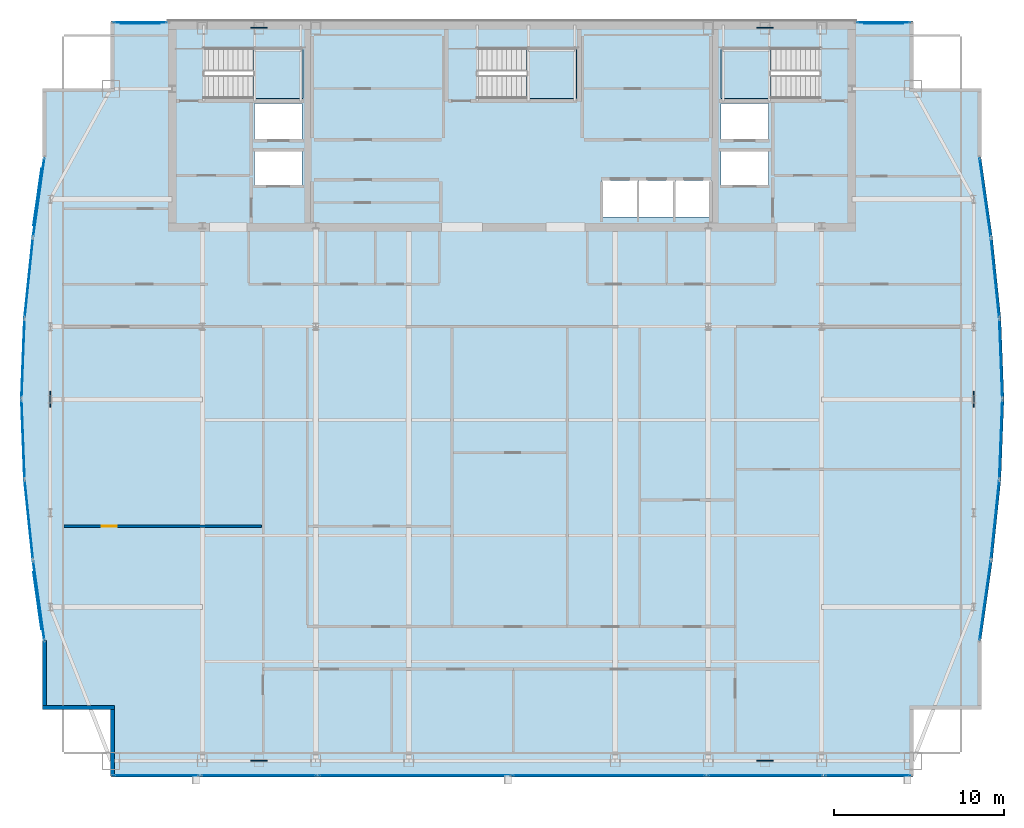
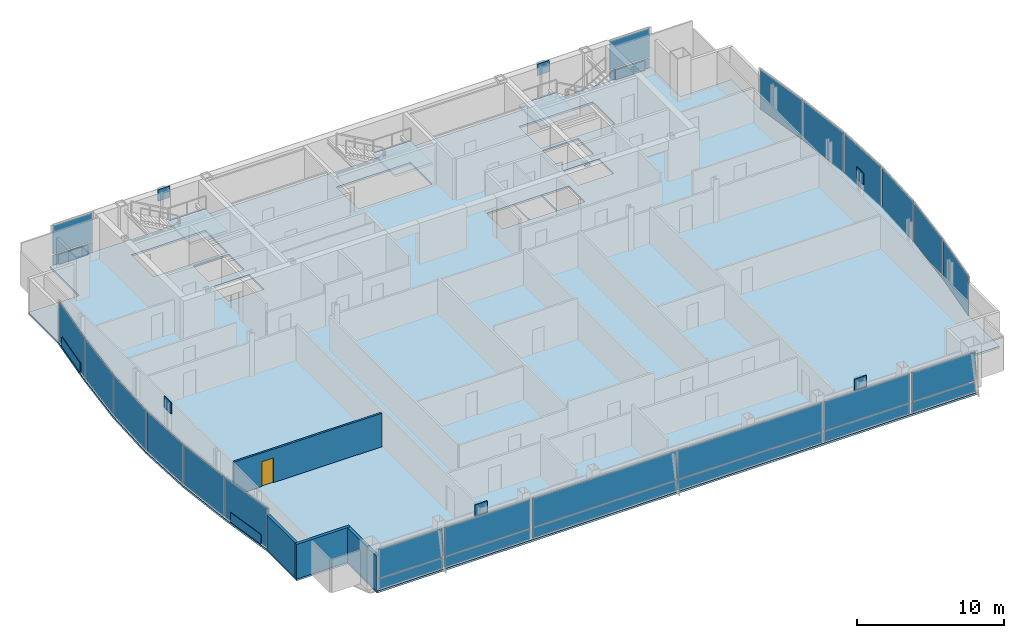
# One storey, part 24 of 30: 38 plates, 4 slabs, 4 walls, 1 door, 1 opening, 22 elements without a shape of their own.
"""IFC4 building model written with IfcOpenShell, lengths in metres."""

from ifc_helpers import new_model, si_unit, direction, frame, frame_2d, origin, origin_2d, place, context, subcontext, project, spatial, polyline, rectangle, outline, extrude, material, layer, layer_set, type_object, element, fill, aggregate, save


model = new_model("IFC4")

# Units and contexts
model_context = context("Model", 3, precision=1e-05, world=origin(), true_north=direction((0.0, 1.0)))
body_context = subcontext(model_context, "Body", "Model", "MODEL_VIEW")
ifc_project = project(units=[si_unit("LENGTHUNIT", "METRE"), si_unit("AREAUNIT", "SQUARE_METRE"), si_unit("VOLUMEUNIT", "CUBIC_METRE"), si_unit("PLANEANGLEUNIT", "RADIAN"), si_unit("MASSUNIT", "GRAM", prefix="KILO")], contexts=[model_context])

# Site, building, storey
site_placement = place(None, origin())
site = spatial("IfcSite", under=ifc_project, at=site_placement, CompositionType="ELEMENT")
building_placement = place(site_placement, origin())
building = spatial("IfcBuilding", under=site, at=building_placement, Name="Khoronbel Lancet Exchange", CompositionType="ELEMENT")
storey_placement = place(building_placement, frame((0.0, 0.0, 280.60009765625)))
storey = spatial("IfcBuildingStorey", under=building, at=storey_placement, Name="L72", CompositionType="ELEMENT", Elevation=280.60009765625)

# Curtain wall, plate
ifc_material_1 = material(Name="Low-E Solar Control Insulating Glass", Category="glass")
curtain_wall_type_1 = type_object("IfcCurtainWallType", Name="CW-4", PredefinedType="NOTDEFINED", material=ifc_material_1)
curtain_wall_1_placement = place(storey_placement, origin())
curtain_wall_1 = element("IfcCurtainWall", 1, at=curtain_wall_1_placement, inside=storey, type_object=curtain_wall_type_1, Name="Unitised curtain wall CW-L72-E04", PredefinedType="NOTDEFINED")
ifc_material_2 = material(Name="Bronze-Anodised Aluminium 6063-T6", Category="aluminium")
ifc_layer_1 = layer(ifc_material_2, 0.050048828125, Name="Bronze-Anodised Aluminium 6063-T6")
ifc_layer_set_1 = layer_set([ifc_layer_1], Name="Bronze-Anodised Aluminium 6063-T6")
plate_type_1 = type_object("IfcPlateType", Name="PLT-CSP1", PredefinedType="SHEET", material=ifc_layer_set_1)
plate_1_placement = place(storey_placement, frame((8.54150390625, 19.5751953125, 0.0498046875), z_axis=(0.0, 0.0, 1.0), x_axis=(-0.141252284521, 0.989973632032, 0.0)))
plate_1 = element("IfcPlate", 2, at=plate_1_placement, type_object=plate_type_1, Name="Insulated bronze spandrel cassette CW-L72-E04", PredefinedType="SHEET", context=body_context, shape_type="SweptSolid", body=[
    extrude(rectangle(XDim=3.36181640625, YDim=0.050048828125, at=origin_2d()), origin(), (0.0, 0.0, 1.0), 0.800048828125),
])

curtain_wall_2_placement = place(storey_placement, origin())
curtain_wall_2 = element("IfcCurtainWall", 3, at=curtain_wall_2_placement, inside=storey, type_object=curtain_wall_type_1, Name="Unitised curtain wall CW-L72-E05", PredefinedType="NOTDEFINED")
plate_2_placement = place(storey_placement, frame((8.013916015625, 24.333740234375, 0.0849609375), z_axis=(0.0, 0.0, 1.0), x_axis=(-0.103873031641, 0.994590565659, 0.0)))
plate_2 = element("IfcPlate", 4, at=plate_2_placement, type_object=plate_type_1, Name="CW4 panel 1.1", PredefinedType="CURTAIN_PANEL", context=body_context, shape_type="SweptSolid", body=[
    extrude(rectangle(XDim=4.62109375, YDim=0.0380859375, at=origin_2d()), origin(), (0.0, 0.0, 1.0), 3.27001953125),
])
aggregate(curtain_wall_2, [plate_2])

curtain_wall_3_placement = place(storey_placement, origin())
curtain_wall_3 = element("IfcCurtainWall", 5, at=curtain_wall_3_placement, inside=storey, type_object=curtain_wall_type_1, Name="Unitised curtain wall CW-L72-E06", PredefinedType="NOTDEFINED")
plate_3_placement = place(storey_placement, frame((7.67529296875, 29.078125, 0.0849609375), z_axis=(0.0, 0.0, 1.0), x_axis=(-0.038192032798, 0.999270418171, 0.0)))
plate_3 = element("IfcPlate", 6, at=plate_3_placement, type_object=plate_type_1, Name="CW4 panel 1.1", PredefinedType="CURTAIN_PANEL", context=body_context, shape_type="SweptSolid", body=[
    extrude(rectangle(XDim=4.59716796875, YDim=0.0380859375, at=origin_2d()), origin(), (0.0, 0.0, 1.0), 3.27001953125),
])
aggregate(curtain_wall_3, [plate_3])

curtain_wall_4_placement = place(storey_placement, origin())
curtain_wall_4 = element("IfcCurtainWall", 7, at=curtain_wall_4_placement, inside=storey, type_object=curtain_wall_type_1, Name="Unitised curtain wall CW-L72-E07", PredefinedType="NOTDEFINED")
plate_4_placement = place(storey_placement, frame((7.67529296875, 33.82177734375, 0.0849609375), z_axis=(0.0, 0.0, 1.0), x_axis=(0.038192032798, 0.999270418171, 0.0)))
plate_4 = element("IfcPlate", 8, at=plate_4_placement, type_object=plate_type_1, Name="CW4 panel 1.1", PredefinedType="CURTAIN_PANEL", context=body_context, shape_type="SweptSolid", body=[
    extrude(rectangle(XDim=4.59716796875, YDim=0.0380859375, at=origin_2d()), origin(), (0.0, 0.0, 1.0), 3.27001953125),
])
aggregate(curtain_wall_4, [plate_4])

curtain_wall_5_placement = place(storey_placement, origin())
curtain_wall_5 = element("IfcCurtainWall", 9, at=curtain_wall_5_placement, inside=storey, type_object=curtain_wall_type_1, Name="Unitised curtain wall CW-L72-E08", PredefinedType="NOTDEFINED")
plate_5_placement = place(storey_placement, frame((8.013916015625, 38.56640625, 0.0849609375), z_axis=(0.0, 0.0, 1.0), x_axis=(0.103873031641, 0.994590565659, 0.0)))
plate_5 = element("IfcPlate", 10, at=plate_5_placement, type_object=plate_type_1, Name="CW4 panel 1.1", PredefinedType="CURTAIN_PANEL", context=body_context, shape_type="SweptSolid", body=[
    extrude(rectangle(XDim=4.62109375, YDim=0.0380859375, at=origin_2d()), origin(), (0.0, 0.0, 1.0), 3.27001953125),
])
aggregate(curtain_wall_5, [plate_5])

curtain_wall_6_placement = place(storey_placement, origin())
curtain_wall_6 = element("IfcCurtainWall", 11, at=curtain_wall_6_placement, inside=storey, type_object=curtain_wall_type_1, Name="Unitised curtain wall CW-L72-E09", PredefinedType="NOTDEFINED")
plate_6_placement = place(storey_placement, frame((8.54150390625, 43.32470703125, 0.0498046875), z_axis=(0.0, 0.0, 1.0), x_axis=(0.141252284521, 0.989973632032, 0.0)))
plate_6 = element("IfcPlate", 12, at=plate_6_placement, type_object=plate_type_1, Name="Insulated bronze spandrel cassette CW-L72-E09", PredefinedType="SHEET", context=body_context, shape_type="SweptSolid", body=[
    extrude(rectangle(XDim=3.36181640625, YDim=0.050048828125, at=origin_2d()), origin(), (0.0, 0.0, 1.0), 0.800048828125),
])

curtain_wall_type_2 = type_object("IfcCurtainWallType", Name="CW-3", PredefinedType="NOTDEFINED", material=ifc_material_1)
curtain_wall_7_placement = place(storey_placement, origin())
curtain_wall_7 = element("IfcCurtainWall", 13, at=curtain_wall_7_placement, inside=storey, type_object=curtain_wall_type_2, Name="Unitised curtain wall CW-L72-NWFLK", PredefinedType="NOTDEFINED")
plate_7_placement = place(storey_placement, frame((14.580078125, 53.550048828125, 0.0498046875), z_axis=(0.0, 0.0, 1.0), x_axis=(-1.0, 0.0, 0.0)))
plate_7 = element("IfcPlate", 14, at=plate_7_placement, type_object=plate_type_1, Name="Insulated bronze spandrel cassette CW-L72-NWFLK", PredefinedType="SHEET", context=body_context, shape_type="SweptSolid", body=[
    extrude(rectangle(XDim=2.2958984375, YDim=0.050048828125, at=origin_2d()), origin(), (0.0, 0.0, 1.0), 0.800048828125),
])

curtain_wall_8_placement = place(storey_placement, origin())
curtain_wall_8 = element("IfcCurtainWall", 15, at=curtain_wall_8_placement, inside=storey, type_object=curtain_wall_type_2, Name="Unitised curtain wall CW-L72-NEFLK", PredefinedType="NOTDEFINED")
plate_8_placement = place(storey_placement, frame((58.320068359375, 53.550048828125, 0.0498046875), z_axis=(0.0, 0.0, 1.0), x_axis=(-1.0, 0.0, 0.0)))
plate_8 = element("IfcPlate", 16, at=plate_8_placement, type_object=plate_type_1, Name="Insulated bronze spandrel cassette CW-L72-NEFLK", PredefinedType="SHEET", context=body_context, shape_type="SweptSolid", body=[
    extrude(rectangle(XDim=2.2958984375, YDim=0.050048828125, at=origin_2d()), origin(), (0.0, 0.0, 1.0), 0.800048828125),
])

curtain_wall_9_placement = place(storey_placement, origin())
curtain_wall_9 = element("IfcCurtainWall", 17, at=curtain_wall_9_placement, inside=storey, type_object=curtain_wall_type_1, Name="Unitised curtain wall CW-L72-E18", PredefinedType="NOTDEFINED")
plate_9_placement = place(storey_placement, frame((64.88623046875, 38.56640625, 0.0849609375), z_axis=(0.0, 0.0, 1.0), x_axis=(0.103873031641, -0.994590565659, 0.0)))
plate_9 = element("IfcPlate", 18, at=plate_9_placement, type_object=plate_type_1, Name="CW4 panel 1.1", PredefinedType="CURTAIN_PANEL", context=body_context, shape_type="SweptSolid", body=[
    extrude(rectangle(XDim=4.62109375, YDim=0.0380859375, at=origin_2d()), origin(), (0.0, 0.0, 1.0), 3.27001953125),
])
aggregate(curtain_wall_9, [plate_9])

curtain_wall_10_placement = place(storey_placement, origin())
curtain_wall_10 = element("IfcCurtainWall", 19, at=curtain_wall_10_placement, inside=storey, type_object=curtain_wall_type_1, Name="Unitised curtain wall CW-L72-E19", PredefinedType="NOTDEFINED")
plate_10_placement = place(storey_placement, frame((65.224609375, 33.82177734375, 0.0849609375), z_axis=(0.0, 0.0, 1.0), x_axis=(0.038192032798, -0.999270418171, 0.0)))
plate_10 = element("IfcPlate", 20, at=plate_10_placement, type_object=plate_type_1, Name="CW4 panel 1.1", PredefinedType="CURTAIN_PANEL", context=body_context, shape_type="SweptSolid", body=[
    extrude(rectangle(XDim=4.59716796875, YDim=0.0380859375, at=origin_2d()), origin(), (0.0, 0.0, 1.0), 3.27001953125),
])
aggregate(curtain_wall_10, [plate_10])

curtain_wall_11_placement = place(storey_placement, origin())
curtain_wall_11 = element("IfcCurtainWall", 21, at=curtain_wall_11_placement, inside=storey, type_object=curtain_wall_type_1, Name="Unitised curtain wall CW-L72-E20", PredefinedType="NOTDEFINED")
plate_11_placement = place(storey_placement, frame((65.224609375, 29.078125, 0.0849609375), z_axis=(0.0, 0.0, 1.0), x_axis=(-0.038192032798, -0.999270418171, 0.0)))
plate_11 = element("IfcPlate", 22, at=plate_11_placement, type_object=plate_type_1, Name="CW4 panel 1.1", PredefinedType="CURTAIN_PANEL", context=body_context, shape_type="SweptSolid", body=[
    extrude(rectangle(XDim=4.59716796875, YDim=0.0380859375, at=origin_2d()), origin(), (0.0, 0.0, 1.0), 3.27001953125),
])
aggregate(curtain_wall_11, [plate_11])

curtain_wall_12_placement = place(storey_placement, origin())
curtain_wall_12 = element("IfcCurtainWall", 23, at=curtain_wall_12_placement, inside=storey, type_object=curtain_wall_type_1, Name="Unitised curtain wall CW-L72-E21", PredefinedType="NOTDEFINED")
plate_12_placement = place(storey_placement, frame((64.88623046875, 24.333740234375, 0.0849609375), z_axis=(0.0, 0.0, 1.0), x_axis=(-0.103873031641, -0.994590565659, 0.0)))
plate_12 = element("IfcPlate", 24, at=plate_12_placement, type_object=plate_type_1, Name="CW4 panel 1.1", PredefinedType="CURTAIN_PANEL", context=body_context, shape_type="SweptSolid", body=[
    extrude(rectangle(XDim=4.62109375, YDim=0.0380859375, at=origin_2d()), origin(), (0.0, 0.0, 1.0), 3.27001953125),
])
aggregate(curtain_wall_12, [plate_12])

# Curtain wall, plates
curtain_wall_13_placement = place(storey_placement, origin())
curtain_wall_13 = element("IfcCurtainWall", 25, at=curtain_wall_13_placement, inside=storey, type_object=curtain_wall_type_2, Name="Unitised curtain wall CW-L72-SWB", PredefinedType="NOTDEFINED")
plate_13_placement = place(storey_placement, frame((21.550048828125, 9.2900390625, 0.0849609375), z_axis=(0.0, 0.0, 1.0), x_axis=(1.0, 0.0, 0.0)))
plate_13 = element("IfcPlate", 26, at=plate_13_placement, type_object=plate_type_1, Name="CW3 panel 1.1", PredefinedType="CURTAIN_PANEL", context=body_context, shape_type="SweptSolid", body=[
    extrude(rectangle(XDim=6.72998046875, YDim=0.0380859375, at=origin_2d()), origin(), (0.0, 0.0, 1.0), 0.822509765625),
])
plate_14_placement = place(storey_placement, frame((21.550048828125, 9.2900390625, 0.9921875), z_axis=(0.0, 0.0, 1.0), x_axis=(1.0, 0.0, 0.0)))
plate_14 = element("IfcPlate", 27, at=plate_14_placement, type_object=plate_type_1, Name="CW3 panel 1.2", PredefinedType="CURTAIN_PANEL", context=body_context, shape_type="SweptSolid", body=[
    extrude(rectangle(XDim=6.72998046875, YDim=0.0380859375, at=origin_2d()), origin(), (0.0, 0.0, 1.0), 2.362548828125),
])
aggregate(curtain_wall_13, [plate_13, plate_14])

curtain_wall_14_placement = place(storey_placement, origin())
curtain_wall_14 = element("IfcCurtainWall", 28, at=curtain_wall_14_placement, inside=storey, type_object=curtain_wall_type_2, Name="Unitised curtain wall CW-L72-SEB", PredefinedType="NOTDEFINED")
plate_15_placement = place(storey_placement, frame((51.35009765625, 9.2900390625, 0.0849609375), z_axis=(0.0, 0.0, 1.0), x_axis=(1.0, 0.0, 0.0)))
plate_15 = element("IfcPlate", 29, at=plate_15_placement, type_object=plate_type_1, Name="CW3 panel 1.1", PredefinedType="CURTAIN_PANEL", context=body_context, shape_type="SweptSolid", body=[
    extrude(rectangle(XDim=6.72998046875, YDim=0.0380859375, at=origin_2d()), origin(), (0.0, 0.0, 1.0), 0.822509765625),
])
plate_16_placement = place(storey_placement, frame((51.35009765625, 9.2900390625, 0.9921875), z_axis=(0.0, 0.0, 1.0), x_axis=(1.0, 0.0, 0.0)))
plate_16 = element("IfcPlate", 30, at=plate_16_placement, type_object=plate_type_1, Name="CW3 panel 1.2", PredefinedType="CURTAIN_PANEL", context=body_context, shape_type="SweptSolid", body=[
    extrude(rectangle(XDim=6.72998046875, YDim=0.0380859375, at=origin_2d()), origin(), (0.0, 0.0, 1.0), 2.362548828125),
])
aggregate(curtain_wall_14, [plate_15, plate_16])

# Plate
ifc_layer_2 = layer(ifc_material_1, 0.035888671875, Name="Low-E Solar Control Insulating Glass")
ifc_layer_set_2 = layer_set([ifc_layer_2], Name="Low-E Solar Control Insulating Glass")
plate_type_2 = type_object("IfcPlateType", Name="PLT-CWP1", PredefinedType="CURTAIN_PANEL", material=ifc_layer_set_2)
plate_17_placement = place(storey_placement, frame((14.580078125, 53.610107421875, 0.0849609375), z_axis=(0.0, 0.0, 1.0), x_axis=(-1.0, 0.0, 0.0)))
plate_17 = element("IfcPlate", 31, at=plate_17_placement, type_object=plate_type_2, Name="CW3 panel 1.1", PredefinedType="CURTAIN_PANEL", context=body_context, shape_type="SweptSolid", body=[
    extrude(rectangle(XDim=3.110107421875, YDim=0.0380859375, at=origin_2d()), origin(), (0.0, 0.0, 1.0), 0.822509765625),
])

plate_18_placement = place(storey_placement, frame((14.580078125, 53.610107421875, 0.9921875), z_axis=(0.0, 0.0, 1.0), x_axis=(-1.0, 0.0, 0.0)))
plate_18 = element("IfcPlate", 32, at=plate_18_placement, type_object=plate_type_2, Name="CW3 panel 1.2", PredefinedType="CURTAIN_PANEL", context=body_context, shape_type="SweptSolid", body=[
    extrude(rectangle(XDim=3.110107421875, YDim=0.0380859375, at=origin_2d()), origin(), (0.0, 0.0, 1.0), 2.362548828125),
])

aggregate(curtain_wall_7, [plate_17, plate_18, plate_7])

plate_19_placement = place(storey_placement, frame((58.320068359375, 53.610107421875, 0.0849609375), z_axis=(0.0, 0.0, 1.0), x_axis=(-1.0, 0.0, 0.0)))
plate_19 = element("IfcPlate", 33, at=plate_19_placement, type_object=plate_type_2, Name="CW3 panel 1.1", PredefinedType="CURTAIN_PANEL", context=body_context, shape_type="SweptSolid", body=[
    extrude(rectangle(XDim=3.110107421875, YDim=0.0380859375, at=origin_2d()), origin(), (0.0, 0.0, 1.0), 0.822509765625),
])

plate_20_placement = place(storey_placement, frame((58.320068359375, 53.610107421875, 0.9921875), z_axis=(0.0, 0.0, 1.0), x_axis=(-1.0, 0.0, 0.0)))
plate_20 = element("IfcPlate", 34, at=plate_20_placement, type_object=plate_type_2, Name="CW3 panel 1.2", PredefinedType="CURTAIN_PANEL", context=body_context, shape_type="SweptSolid", body=[
    extrude(rectangle(XDim=3.110107421875, YDim=0.0380859375, at=origin_2d()), origin(), (0.0, 0.0, 1.0), 2.362548828125),
])

aggregate(curtain_wall_8, [plate_19, plate_20, plate_8])

# Curtain wall, plates
curtain_wall_15_placement = place(storey_placement, origin())
curtain_wall_15 = element("IfcCurtainWall", 35, at=curtain_wall_15_placement, inside=storey, type_object=curtain_wall_type_2, Name="Unitised curtain wall CW-L72-SWV", PredefinedType="NOTDEFINED")
plate_21_placement = place(storey_placement, frame((15.52001953125, 9.2900390625, 0.0849609375), z_axis=(0.0, 0.0, 1.0), x_axis=(1.0, 0.0, 0.0)))
plate_21 = element("IfcPlate", 36, at=plate_21_placement, type_object=plate_type_2, Name="CW3 panel 1.1", PredefinedType="CURTAIN_PANEL", context=body_context, shape_type="SweptSolid", body=[
    extrude(rectangle(XDim=4.989990234375, YDim=0.0380859375, at=origin_2d()), origin(), (0.0, 0.0, 1.0), 0.822509765625),
])
plate_22_placement = place(storey_placement, frame((15.52001953125, 9.2900390625, 0.9921875), z_axis=(0.0, 0.0, 1.0), x_axis=(1.0, 0.0, 0.0)))
plate_22 = element("IfcPlate", 37, at=plate_22_placement, type_object=plate_type_2, Name="CW3 panel 1.2", PredefinedType="CURTAIN_PANEL", context=body_context, shape_type="SweptSolid", body=[
    extrude(rectangle(XDim=4.989990234375, YDim=0.0380859375, at=origin_2d()), origin(), (0.0, 0.0, 1.0), 2.362548828125),
])
aggregate(curtain_wall_15, [plate_21, plate_22])

curtain_wall_16_placement = place(storey_placement, origin())
curtain_wall_16 = element("IfcCurtainWall", 38, at=curtain_wall_16_placement, inside=storey, type_object=curtain_wall_type_2, Name="Unitised curtain wall CW-L72-SCV", PredefinedType="NOTDEFINED")
plate_23_placement = place(storey_placement, frame((30.746337890625, 9.2900390625, 0.0849609375), z_axis=(0.0, 0.0, 1.0), x_axis=(1.0, 0.0, 0.0)))
plate_23 = element("IfcPlate", 39, at=plate_23_placement, type_object=plate_type_2, Name="CW3 panel 1.1", PredefinedType="CURTAIN_PANEL", context=body_context, shape_type="SweptSolid", body=[
    extrude(rectangle(XDim=11.322509765625, YDim=0.0380859375, at=origin_2d()), origin(), (0.0, 0.0, 1.0), 0.822509765625),
])
plate_24_placement = place(storey_placement, frame((30.746337890625, 9.2900390625, 0.9921875), z_axis=(0.0, 0.0, 1.0), x_axis=(1.0, 0.0, 0.0)))
plate_24 = element("IfcPlate", 40, at=plate_24_placement, type_object=plate_type_2, Name="CW3 panel 1.2", PredefinedType="CURTAIN_PANEL", context=body_context, shape_type="SweptSolid", body=[
    extrude(rectangle(XDim=11.322509765625, YDim=0.0380859375, at=origin_2d()), origin(), (0.0, 0.0, 1.0), 2.362548828125),
])
plate_25_placement = place(storey_placement, frame((42.15380859375, 9.2900390625, 0.0849609375), z_axis=(0.0, 0.0, 1.0), x_axis=(1.0, 0.0, 0.0)))
plate_25 = element("IfcPlate", 41, at=plate_25_placement, type_object=plate_type_2, Name="CW3 panel 2.1", PredefinedType="CURTAIN_PANEL", context=body_context, shape_type="SweptSolid", body=[
    extrude(rectangle(XDim=11.322509765625, YDim=0.0380859375, at=origin_2d()), origin(), (0.0, 0.0, 1.0), 0.822509765625),
])
plate_26_placement = place(storey_placement, frame((42.15380859375, 9.2900390625, 0.9921875), z_axis=(0.0, 0.0, 1.0), x_axis=(1.0, 0.0, 0.0)))
plate_26 = element("IfcPlate", 42, at=plate_26_placement, type_object=plate_type_2, Name="CW3 panel 2.2", PredefinedType="CURTAIN_PANEL", context=body_context, shape_type="SweptSolid", body=[
    extrude(rectangle(XDim=11.322509765625, YDim=0.0380859375, at=origin_2d()), origin(), (0.0, 0.0, 1.0), 2.362548828125),
])
aggregate(curtain_wall_16, [plate_23, plate_24, plate_25, plate_26])

curtain_wall_17_placement = place(storey_placement, origin())
curtain_wall_17 = element("IfcCurtainWall", 43, at=curtain_wall_17_placement, inside=storey, type_object=curtain_wall_type_2, Name="Unitised curtain wall CW-L72-SEV", PredefinedType="NOTDEFINED")
plate_27_placement = place(storey_placement, frame((57.3798828125, 9.2900390625, 0.0849609375), z_axis=(0.0, 0.0, 1.0), x_axis=(1.0, 0.0, 0.0)))
plate_27 = element("IfcPlate", 44, at=plate_27_placement, type_object=plate_type_2, Name="CW3 panel 1.1", PredefinedType="CURTAIN_PANEL", context=body_context, shape_type="SweptSolid", body=[
    extrude(rectangle(XDim=4.989990234375, YDim=0.0380859375, at=origin_2d()), origin(), (0.0, 0.0, 1.0), 0.822509765625),
])
plate_28_placement = place(storey_placement, frame((57.3798828125, 9.2900390625, 0.9921875), z_axis=(0.0, 0.0, 1.0), x_axis=(1.0, 0.0, 0.0)))
plate_28 = element("IfcPlate", 45, at=plate_28_placement, type_object=plate_type_2, Name="CW3 panel 1.2", PredefinedType="CURTAIN_PANEL", context=body_context, shape_type="SweptSolid", body=[
    extrude(rectangle(XDim=4.989990234375, YDim=0.0380859375, at=origin_2d()), origin(), (0.0, 0.0, 1.0), 2.362548828125),
])
aggregate(curtain_wall_17, [plate_27, plate_28])

# Plate
ifc_material_3 = material(Name="Ceramic-Fritted Laminated Insulating Glass", Category="glass")
ifc_layer_3 = layer(ifc_material_3, 0.0419921875, Name="Ceramic-Fritted Laminated Insulating Glass")
ifc_layer_set_3 = layer_set([ifc_layer_3], Name="Ceramic-Fritted Laminated Insulating Glass")
plate_type_3 = type_object("IfcPlateType", Name="PLT-CWP2", PredefinedType="CURTAIN_PANEL", material=ifc_layer_set_3)
plate_29_placement = place(storey_placement, frame((8.600830078125, 19.583740234375, 0.0849609375), z_axis=(0.0, 0.0, 1.0), x_axis=(-0.141252284521, 0.989973632032, 0.0)))
plate_29 = element("IfcPlate", 46, at=plate_29_placement, type_object=plate_type_3, Name="CW4 panel 1.1", PredefinedType="CURTAIN_PANEL", context=body_context, shape_type="SweptSolid", body=[
    extrude(rectangle(XDim=4.65283203125, YDim=0.0380859375, at=origin_2d()), origin(), (0.0, 0.0, 1.0), 3.27001953125),
])

aggregate(curtain_wall_1, [plate_29, plate_1])

plate_30_placement = place(storey_placement, frame((8.600830078125, 43.31640625, 0.0849609375), z_axis=(0.0, 0.0, 1.0), x_axis=(0.141252284521, 0.989973632032, 0.0)))
plate_30 = element("IfcPlate", 47, at=plate_30_placement, type_object=plate_type_3, Name="CW4 panel 1.1", PredefinedType="CURTAIN_PANEL", context=body_context, shape_type="SweptSolid", body=[
    extrude(rectangle(XDim=4.65283203125, YDim=0.0380859375, at=origin_2d()), origin(), (0.0, 0.0, 1.0), 3.27001953125),
])

aggregate(curtain_wall_6, [plate_30, plate_6])

# Curtain wall, plate
curtain_wall_18_placement = place(storey_placement, origin())
curtain_wall_18 = element("IfcCurtainWall", 48, at=curtain_wall_18_placement, inside=storey, type_object=curtain_wall_type_1, Name="Unitised curtain wall CW-L72-E17", PredefinedType="NOTDEFINED")
plate_31_placement = place(storey_placement, frame((64.29931640625, 43.31640625, 0.0849609375), z_axis=(0.0, 0.0, 1.0), x_axis=(0.141252284521, -0.989973632032, 0.0)))
plate_31 = element("IfcPlate", 49, at=plate_31_placement, type_object=plate_type_3, Name="CW4 panel 1.1", PredefinedType="CURTAIN_PANEL", context=body_context, shape_type="SweptSolid", body=[
    extrude(rectangle(XDim=4.65283203125, YDim=0.0380859375, at=origin_2d()), origin(), (0.0, 0.0, 1.0), 3.27001953125),
])
aggregate(curtain_wall_18, [plate_31])

curtain_wall_19_placement = place(storey_placement, origin())
curtain_wall_19 = element("IfcCurtainWall", 50, at=curtain_wall_19_placement, inside=storey, type_object=curtain_wall_type_1, Name="Unitised curtain wall CW-L72-E22", PredefinedType="NOTDEFINED")
plate_32_placement = place(storey_placement, frame((64.29931640625, 19.583740234375, 0.0849609375), z_axis=(0.0, 0.0, 1.0), x_axis=(-0.141252284521, -0.989973632032, 0.0)))
plate_32 = element("IfcPlate", 51, at=plate_32_placement, type_object=plate_type_3, Name="CW4 panel 1.1", PredefinedType="CURTAIN_PANEL", context=body_context, shape_type="SweptSolid", body=[
    extrude(rectangle(XDim=4.65283203125, YDim=0.0380859375, at=origin_2d()), origin(), (0.0, 0.0, 1.0), 3.27001953125),
])
aggregate(curtain_wall_19, [plate_32])

# Plates
ifc_material_4 = material(Name="Steel S460", Category="steel")
ifc_layer_4 = layer(ifc_material_4, 0.06005859375, Name="Steel S460")
ifc_layer_set_4 = layer_set([ifc_layer_4], Name="Steel S460")
plate_type_4 = type_object("IfcPlateType", Name="PLT-ND3", PredefinedType="USERDEFINED", material=ifc_layer_set_4)
for number, where, z_axis, x_axis, name in (
    (52, (21.5625, 10.14990234375, 2.77490234375), (0.0, 0.0, 1.0), (1.0, 0.0, 0.0), "ND3 perimeter brace node gusset T24-S-W"),
    (53, (51.33740234375, 10.14990234375, 2.77490234375), (0.0, 0.0, 1.0), (1.0, 0.0, 0.0), "ND3 perimeter brace node gusset T24-S-E"),
    (54, (21.5625, 53.280029296875, 2.77490234375), (0.0, 0.0, 1.0), (1.0, 0.0, 0.0), "ND3 perimeter brace node gusset T24-N-W"),
    (55, (51.33740234375, 53.280029296875, 2.77490234375), (0.0, 0.0, 1.0), (1.0, 0.0, 0.0), "ND3 perimeter brace node gusset T24-N-E"),
    (56, (9.27001953125, 31.425048828125, 2.77490234375), (0.0, 0.0, 1.0), (0.0, 1.0, 0.0), "ND3 perimeter brace node gusset T24-W-P"),
    (57, (63.6298828125, 31.425048828125, 2.77490234375), (0.0, 0.0, 1.0), (0.0, 1.0, 0.0), "ND3 perimeter brace node gusset T24-E-P"),
):
    element("IfcPlate", number, at=place(storey_placement, frame(where, z_axis=z_axis, x_axis=x_axis)), inside=storey, type_object=plate_type_4, Name=name, ObjectType="GUSSET_PLATE", PredefinedType="USERDEFINED", context=body_context, shape_type="SweptSolid", body=[
        extrude(rectangle(XDim=0.949951171875, YDim=0.06005859375, at=origin_2d()), origin(), (0.0, 0.0, 1.0), 0.949951171875),
    ])

# Slab
ifc_material_5 = material(Name="Concrete C40/50", Category="concrete")
ifc_layer_5 = layer(ifc_material_5, 0.159912109375, Name="Concrete C40/50")
ifc_layer_set_5 = layer_set([ifc_layer_5], Name="Concrete C40/50")
slab_type_1 = type_object("IfcSlabType", Name="SL-FL160", PredefinedType="FLOOR", material=ifc_layer_set_5)
slab_1_placement = place(storey_placement, frame((0.0, 0.0, -0.16015625)))
element("IfcSlab", 58, at=slab_1_placement, inside=storey, type_object=slab_type_1, Name="Level L72 composite structural floor slab", PredefinedType="FLOOR", context=body_context, shape_type="SweptSolid", body=[
    extrude(outline(polyline([(12.85009765625, 9.199951171875), (60.050048828125, 9.199951171875), (60.050048828125, 13.199951171875), (64.050048828125, 13.199951171875), (64.050048828125, 17.199951171875), (64.727783203125, 21.949951171875), (65.223876953125, 26.699951171875), (65.405517578125, 31.449951171875), (65.223876953125, 36.199951171875), (64.727783203125, 40.949951171875), (64.050048828125, 45.699951171875), (64.050048828125, 49.699951171875), (60.050048828125, 49.699951171875), (60.050048828125, 53.699951171875), (12.85009765625, 53.699951171875), (12.85009765625, 49.699951171875), (8.85009765625, 49.699951171875), (8.85009765625, 45.699951171875), (8.17236328125, 40.949951171875), (7.67626953125, 36.199951171875), (7.49462890625, 31.449951171875), (7.67626953125, 26.699951171875), (8.17236328125, 21.949951171875), (8.85009765625, 17.199951171875), (8.85009765625, 13.199951171875), (12.85009765625, 13.199951171875), (12.85009765625, 9.199951171875)]), holes=[polyline([(18.324951171875, 49.1201171875), (24.14990234375, 49.1201171875), (24.14990234375, 52.10009765625), (18.324951171875, 52.10009765625), (18.324951171875, 49.1201171875)]), polyline([(48.75, 49.1201171875), (54.574951171875, 49.1201171875), (54.574951171875, 52.10009765625), (48.75, 52.10009765625), (48.75, 49.1201171875)]), polyline([(34.425048828125, 49.1201171875), (40.25, 49.1201171875), (40.25, 52.10009765625), (34.425048828125, 52.10009765625), (34.425048828125, 49.1201171875)]), polyline([(41.739990234375, 42.14990234375), (43.8798828125, 42.14990234375), (43.8798828125, 44.300048828125), (41.739990234375, 44.300048828125), (41.739990234375, 42.14990234375)]), polyline([(43.89990234375, 42.14990234375), (46.0400390625, 42.14990234375), (46.0400390625, 44.300048828125), (43.89990234375, 44.300048828125), (43.89990234375, 42.14990234375)]), polyline([(46.06005859375, 42.14990234375), (48.199951171875, 42.14990234375), (48.199951171875, 44.300048828125), (46.06005859375, 44.300048828125), (46.06005859375, 42.14990234375)]), polyline([(21.300048828125, 46.75), (24.10009765625, 46.75), (24.10009765625, 48.85009765625), (21.300048828125, 48.85009765625), (21.300048828125, 46.75)]), polyline([(48.75, 46.75), (51.550048828125, 46.75), (51.550048828125, 48.85009765625), (48.75, 48.85009765625), (48.75, 46.75)]), polyline([(21.300048828125, 44.050048828125), (24.10009765625, 44.050048828125), (24.10009765625, 46.050048828125), (21.300048828125, 46.050048828125), (21.300048828125, 44.050048828125)]), polyline([(48.75, 44.050048828125), (51.550048828125, 44.050048828125), (51.550048828125, 46.050048828125), (48.75, 46.050048828125), (48.75, 44.050048828125)])]), origin(), (0.0, 0.0, 1.0), 0.16015625),
])

# Stair, slab
stair_type = type_object("IfcStairType", Name="STR-CORE150", PredefinedType="HALF_TURN_STAIR", material=ifc_material_5)
stair_1_placement = place(storey_placement, origin())
stair_1 = element("IfcStair", 59, at=stair_1_placement, inside=storey, type_object=stair_type, Name="L72 Protected Exit Stair ST1", PredefinedType="HALF_TURN_STAIR")
ifc_layer_6 = layer(ifc_material_5, 0.199951171875, Name="Concrete C40/50")
ifc_layer_set_6 = layer_set([ifc_layer_6], Name="Concrete C40/50")
slab_type_2 = type_object("IfcSlabType", Name="SL-LND180", PredefinedType="LANDING", material=ifc_layer_set_6)
slab_2_placement = place(storey_placement, frame((0.0, 0.0, 1.599853515625)))
slab_2 = element("IfcSlab", 60, at=slab_2_placement, type_object=slab_type_2, Name="ST1 landing 1", PredefinedType="LANDING", context=body_context, shape_type="SweptSolid", body=[
    extrude(outline(polyline([(21.199951171875, 49.1201171875), (24.14990234375, 49.1201171875), (24.14990234375, 52.10009765625), (21.199951171875, 52.10009765625), (21.199951171875, 49.1201171875)])), origin(), (0.0, 0.0, 1.0), 0.199951171875),
])
aggregate(stair_1, [slab_2])

stair_2_placement = place(storey_placement, origin())
stair_2 = element("IfcStair", 61, at=stair_2_placement, inside=storey, type_object=stair_type, Name="L72 Protected Exit Stair ST2", PredefinedType="HALF_TURN_STAIR")
slab_3_placement = place(storey_placement, frame((0.0, 0.0, 1.599853515625)))
slab_3 = element("IfcSlab", 62, at=slab_3_placement, type_object=slab_type_2, Name="ST2 landing 1", PredefinedType="LANDING", context=body_context, shape_type="SweptSolid", body=[
    extrude(outline(polyline([(51.699951171875, 52.10009765625), (48.75, 52.10009765625), (48.75, 49.1201171875), (51.699951171875, 49.1201171875), (51.699951171875, 52.10009765625)])), origin(), (0.0, 0.0, 1.0), 0.199951171875),
])
aggregate(stair_2, [slab_3])

stair_3_placement = place(storey_placement, origin())
stair_3 = element("IfcStair", 63, at=stair_3_placement, inside=storey, type_object=stair_type, Name="L72 Protected Exit Stair ST3", PredefinedType="HALF_TURN_STAIR")
slab_4_placement = place(storey_placement, frame((0.0, 0.0, 1.599853515625)))
slab_4 = element("IfcSlab", 64, at=slab_4_placement, type_object=slab_type_2, Name="ST3 landing 1", PredefinedType="LANDING", context=body_context, shape_type="SweptSolid", body=[
    extrude(outline(polyline([(37.300048828125, 49.1201171875), (40.25, 49.1201171875), (40.25, 52.10009765625), (37.300048828125, 52.10009765625), (37.300048828125, 49.1201171875)])), origin(), (0.0, 0.0, 1.0), 0.199951171875),
])
aggregate(stair_3, [slab_4])

# Walls
ifc_material_6 = material(Name="Precast concrete C40/50", Category="concrete")
ifc_layer_7 = layer(ifc_material_6, 0.25, Name="Precast concrete C40/50")
ifc_layer_set_7 = layer_set([ifc_layer_7], Name="Precast concrete C40/50")
wall_type_1 = type_object("IfcWallType", Name="WL-EXT250", PredefinedType="SOLIDWALL", material=ifc_layer_set_7)
wall_1_placement = place(storey_placement, frame((12.93994140625, 9.27001953125, 0.0), z_axis=(0.0, 0.0, 1.0), x_axis=(0.0, 1.0, 0.0)))
element("IfcWall", 65, at=wall_1_placement, inside=storey, type_object=wall_type_1, Name="Level L72 notched-corner limestone pier 01", PredefinedType="SOLIDWALL", context=body_context, shape_type="SweptSolid", body=[
    extrude(rectangle(XDim=3.909912109375, YDim=0.219970703125, at=frame_2d((1.955078125, 0.0))), origin(), (0.0, 0.0, 1.0), 2.8798828125),
])
wall_2_placement = place(storey_placement, frame((13.050048828125, 13.2900390625, 0.0), z_axis=(0.0, 0.0, 1.0), x_axis=(-1.0, 0.0, 0.0)))
element("IfcWall", 66, at=wall_2_placement, inside=storey, type_object=wall_type_1, Name="Level L72 notched-corner limestone pier 02", PredefinedType="SOLIDWALL", context=body_context, shape_type="SweptSolid", body=[
    extrude(rectangle(XDim=4.219970703125, YDim=0.219970703125, at=frame_2d((2.10986328125, 0.0))), origin(), (0.0, 0.0, 1.0), 2.8798828125),
])
wall_3_placement = place(storey_placement, frame((8.93994140625, 13.39990234375, 0.0), z_axis=(0.0, 0.0, 1.0), x_axis=(0.0, 1.0, 0.0)))
element("IfcWall", 67, at=wall_3_placement, inside=storey, type_object=wall_type_1, Name="Level L72 notched-corner limestone pier 03", PredefinedType="SOLIDWALL", context=body_context, shape_type="SweptSolid", body=[
    extrude(rectangle(XDim=3.826416015625, YDim=0.219970703125, at=frame_2d((1.9130859375, 0.0))), origin(), (0.0, 0.0, 1.0), 2.8798828125),
])

# Wall, opening, door
ifc_material_7 = material(Name="Acoustic Metal-Stud & Mineral-Wool Gypsum Partition 120 mm", Category="gypsum")
ifc_layer_8 = layer(ifc_material_7, 0.1201171875, Name="Acoustic Metal-Stud & Mineral-Wool Gypsum Partition 120 mm")
ifc_layer_set_8 = layer_set([ifc_layer_8], Name="Acoustic Metal-Stud & Mineral-Wool Gypsum Partition 120 mm")
wall_type_2 = type_object("IfcWallType", Name="WL-PRT120", PredefinedType="PARTITIONING", material=ifc_layer_set_8)
wall_4_placement = place(storey_placement, frame((10.094970703125, 23.949951171875, 0.0), z_axis=(0.0, 0.0, 1.0), x_axis=(1.0, 0.0, 0.0)))
wall_4 = element("IfcWall", 68, at=wall_4_placement, inside=storey, type_object=wall_type_2, Name="Level L72 interior partition PW-Z4-WH", PredefinedType="PARTITIONING", context=body_context, shape_type="SweptSolid", body=[
    extrude(rectangle(XDim=11.625, YDim=0.14990234375, at=frame_2d((5.8125, 0.0))), origin(), (0.0, 0.0, 1.0), 2.77978515625),
])
opening_placement = place(wall_4_placement, frame((2.199951171875, 0.0, 0.0)))
opening = element("IfcOpeningElement", 69, at=opening_placement, cuts=wall_4, Name="Opening D5", PredefinedType="OPENING", context=body_context, shape_type="SweptSolid", body=[
    extrude(rectangle(XDim=0.89990234375, YDim=2.050048828125, at=frame_2d((0.449951171875, 1.02490234375))), frame((0.0, 0.0849609375, 0.0), z_axis=(0.0, -1.0, 0.0), x_axis=(1.0, 0.0, 0.0)), (0.0, 0.0, 1.0), 0.169921875),
])
ifc_material_8 = material(Name="Acoustic Timber Pantry & Support Door", Category="wood")
door_type = type_object("IfcDoorType", Name="DR-D5", OperationType="NOTDEFINED", PredefinedType="DOOR", material=ifc_material_8)
door_placement = place(opening_placement, origin())
door = element("IfcDoor", 70, at=door_placement, inside=storey, type_object=door_type, Name="West lens inner door L72-1", OperationType="SINGLE_SWING_RIGHT", OverallHeight=2.050048828125, OverallWidth=0.89990234375, PredefinedType="DOOR", context=body_context, shape_type="SweptSolid", body=[
    extrude(rectangle(XDim=0.89990234375, YDim=2.050048828125, at=frame_2d((0.449951171875, 1.02490234375))), frame((0.0, 0.02490234375, 0.0), z_axis=(0.0, -1.0, 0.0), x_axis=(1.0, 0.0, 0.0)), (0.0, 0.0, 1.0), 0.050048828125),
])
fill(opening, door)

save(model, "model.ifc")
